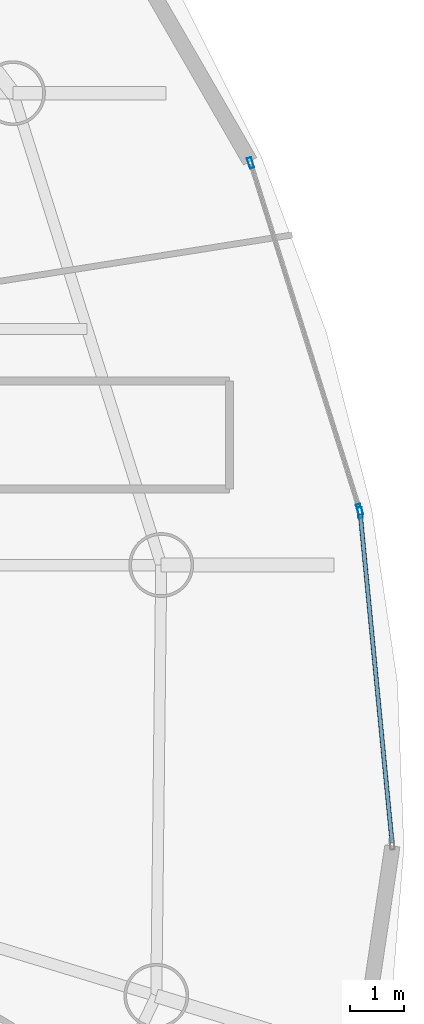
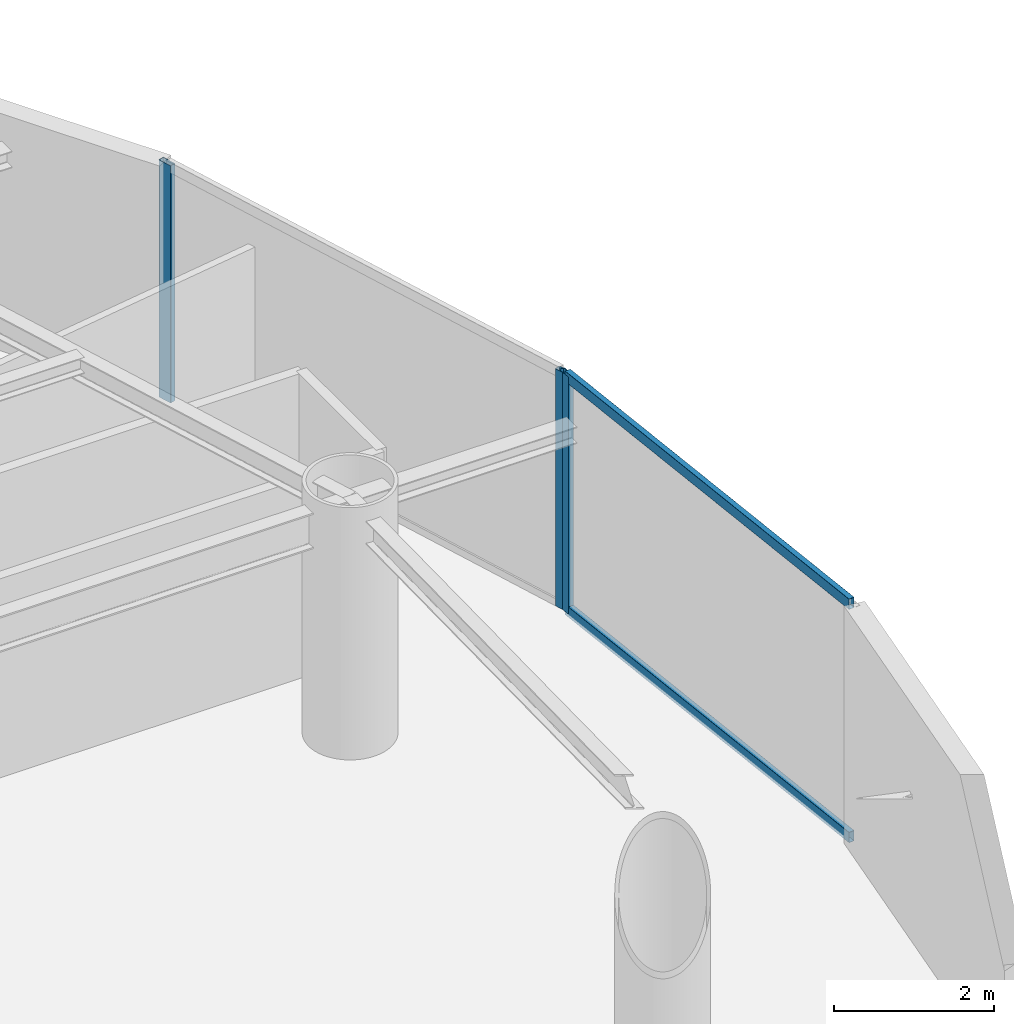
# One storey, part 9 of 18: 5 members, 2 elements without a shape of their own.
"""IFC4 building model written with IfcOpenShell, lengths in metres."""

from ifc_helpers import new_model, si_unit, direction, frame, origin, origin_2d, place, context, subcontext, project, spatial, hollow_rectangle, extrude, material, layer, layer_set, material_profile, profile_set, type_object, element, aggregate, save


model = new_model("IFC4")

# Units and contexts
model_context = context("Model", 3, precision=1e-05, world=origin(), true_north=direction((0.0, 1.0)))
body_context = subcontext(model_context, "Body", "Model", "MODEL_VIEW")
ifc_project = project(units=[si_unit("LENGTHUNIT", "METRE"), si_unit("AREAUNIT", "SQUARE_METRE"), si_unit("VOLUMEUNIT", "CUBIC_METRE"), si_unit("PLANEANGLEUNIT", "RADIAN"), si_unit("MASSUNIT", "GRAM", prefix="KILO")], contexts=[model_context])

# Site, building, storey
site_placement = place(None, origin())
site = spatial("IfcSite", under=ifc_project, at=site_placement, CompositionType="ELEMENT")
building_placement = place(site_placement, origin())
building = spatial("IfcBuilding", under=site, at=building_placement, Name="Bramvorn Convention Spire", CompositionType="ELEMENT")
storey_placement = place(building_placement, frame((0.0, 0.0, 182.75)))
storey = spatial("IfcBuildingStorey", under=building, at=storey_placement, Name="L46", CompositionType="ELEMENT", Elevation=182.75)

# Curtain wall, member
ifc_material_1 = material(Name="Anodised Bronze Unitised Curtain Wall", Category="aluminium")
ifc_layer = layer(ifc_material_1, 0.179931640625)
ifc_layer_set = layer_set([ifc_layer], Name="Anodised Bronze Unitised Curtain Wall - CW-OFF-FRIT")
curtain_wall_type = type_object("IfcCurtainWallType", Name="CW-OFF-FRIT", PredefinedType="USERDEFINED", material=ifc_layer_set)
curtain_wall_1_placement = place(storey_placement, origin())
curtain_wall_1 = element("IfcCurtainWall", 1, at=curtain_wall_1_placement, inside=storey, type_object=curtain_wall_type, Name="L46 fritted glass curtain wall 03", ObjectType="UNITISED CURTAIN WALL", PredefinedType="USERDEFINED")
ifc_material_2 = material(Name="Anodised Bronze Aluminium 6063-T6", Category="aluminium")
ifc_material_profile_1 = material_profile(ifc_material_2, hollow_rectangle(XDim=0.080078125, YDim=0.199951171875, WallThickness=0.00390625, InnerFilletRadius=0.0009765625, OuterFilletRadius=0.00390625, at=origin_2d()))
ifc_profile_set_1 = profile_set([ifc_material_profile_1], Name="Anodised Bronze Aluminium 6063-T6 - CWM80X200")
member_type_1 = type_object("IfcMemberType", Name="CW-MUL-180", PredefinedType="MULLION", material=ifc_profile_set_1)
member_1_placement = place(storey_placement, frame((62.636474609375, 24.563232421875, 0.0), z_axis=(0.0, 0.0, 1.0), x_axis=(0.995360141173, 0.096219485371, 0.0)))
member_1 = element("IfcMember", 2, at=member_1_placement, type_object=member_type_1, Name="CW3 mullion 1", PredefinedType="MULLION", context=body_context, shape_type="SweptSolid", body=[
    extrude(hollow_rectangle(XDim=0.080078125, YDim=0.199951171875, WallThickness=0.00390625, InnerFilletRadius=0.0009765625, OuterFilletRadius=0.00390625, at=origin_2d()), origin(), (0.0, 0.0, 1.0), 3.6201171875),
])

# Curtain wall, members
curtain_wall_2_placement = place(storey_placement, origin())
curtain_wall_2 = element("IfcCurtainWall", 3, at=curtain_wall_2_placement, inside=storey, type_object=curtain_wall_type, Name="L46 fritted glass curtain wall 04", ObjectType="UNITISED CURTAIN WALL", PredefinedType="USERDEFINED")
member_2_placement = place(storey_placement, frame((60.6083984375, 31.036865234375, 0.0), z_axis=(0.0, 0.0, 1.0), x_axis=(0.953992994165, 0.299828896345, 0.0)))
member_2 = element("IfcMember", 4, at=member_2_placement, type_object=member_type_1, Name="CW3 mullion 1", PredefinedType="MULLION", context=body_context, shape_type="SweptSolid", body=[
    extrude(hollow_rectangle(XDim=0.080078125, YDim=0.199951171875, WallThickness=0.00390625, InnerFilletRadius=0.0009765625, OuterFilletRadius=0.00390625, at=origin_2d()), origin(), (0.0, 0.0, 1.0), 3.6201171875),
])
member_3_placement = place(storey_placement, frame((62.62451171875, 24.621826171875, 0.0), z_axis=(0.0, 0.0, 1.0), x_axis=(0.953992994165, 0.299828896345, 0.0)))
member_3 = element("IfcMember", 5, at=member_3_placement, type_object=member_type_1, Name="CW3 mullion 2", PredefinedType="MULLION", context=body_context, shape_type="SweptSolid", body=[
    extrude(hollow_rectangle(XDim=0.080078125, YDim=0.199951171875, WallThickness=0.00390625, InnerFilletRadius=0.0009765625, OuterFilletRadius=0.00390625, at=origin_2d()), origin(), (0.0, 0.0, 1.0), 3.6201171875),
])
aggregate(curtain_wall_2, [member_2, member_3])

# Member
ifc_material_profile_2 = material_profile(ifc_material_2, hollow_rectangle(XDim=0.080078125, YDim=0.159912109375, WallThickness=0.00390625, InnerFilletRadius=0.0009765625, OuterFilletRadius=0.00390625, at=origin_2d()))
ifc_profile_set_2 = profile_set([ifc_material_profile_2], Name="Anodised Bronze Aluminium 6063-T6 - CWT80X160")
member_type_2 = type_object("IfcMemberType", Name="CW-TRN-150", PredefinedType="USERDEFINED", material=ifc_profile_set_2)
member_4_placement = place(storey_placement, frame((62.639404296875, 24.533447265625, 0.030029296875), z_axis=(0.096193864789, -0.99536261753, 0.0), x_axis=(0.99536261753, 0.096193864789, 0.0)))
member_4 = element("IfcMember", 6, at=member_4_placement, type_object=member_type_2, Name="CW3 transom 1.1", ObjectType="TRANSOM", PredefinedType="USERDEFINED", context=body_context, shape_type="SweptSolid", body=[
    extrude(hollow_rectangle(XDim=0.080078125, YDim=0.159912109375, WallThickness=0.00390625, InnerFilletRadius=0.0009765625, OuterFilletRadius=0.00390625, at=origin_2d()), origin(), (0.0, 0.0, 1.0), 6.1064453125),
])

member_5_placement = place(storey_placement, frame((62.639404296875, 24.533447265625, 3.590087890625), z_axis=(0.096193864789, -0.99536261753, 0.0), x_axis=(0.99536261753, 0.096193864789, 0.0)))
member_5 = element("IfcMember", 7, at=member_5_placement, type_object=member_type_2, Name="CW3 transom 1.2", ObjectType="TRANSOM", PredefinedType="USERDEFINED", context=body_context, shape_type="SweptSolid", body=[
    extrude(hollow_rectangle(XDim=0.080078125, YDim=0.159912109375, WallThickness=0.00390625, InnerFilletRadius=0.0009765625, OuterFilletRadius=0.00390625, at=origin_2d()), origin(), (0.0, 0.0, 1.0), 6.1064453125),
])

aggregate(curtain_wall_1, [member_1, member_4, member_5])

save(model, "model.ifc")
